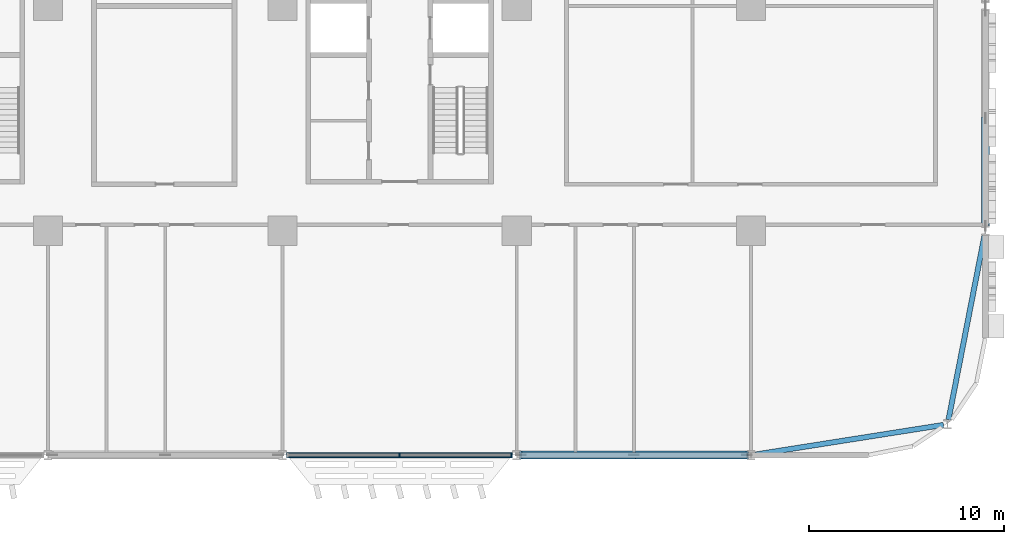
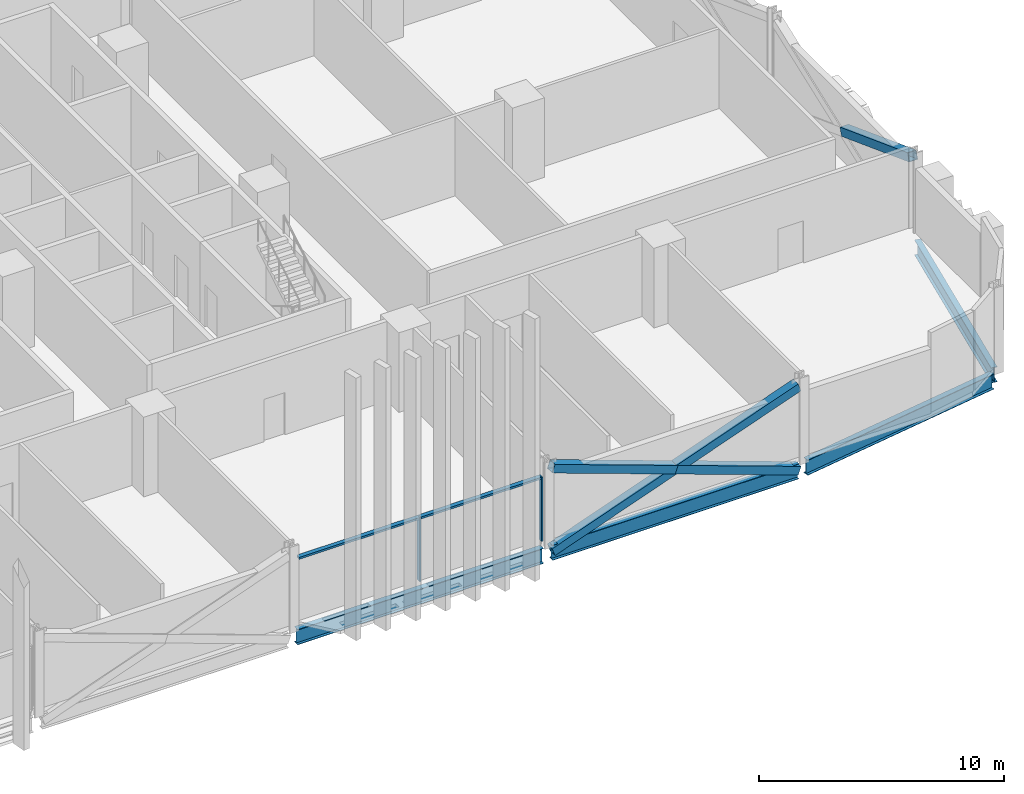
# One storey, part 8 of 29: 8 members, 4 beams, 1 element without a shape of its own.
"""IFC4 building model written with IfcOpenShell, lengths in metres."""

from ifc_helpers import new_model, si_unit, direction, frame, origin, origin_2d, place, context, subcontext, project, spatial, rectangle, hollow_rectangle, i_section, extrude, material, material_profile, profile_set, type_object, element, aggregate, save


model = new_model("IFC4")

# Units and contexts
model_context = context("Model", 3, precision=1e-05, world=origin(), true_north=direction((0.0, 1.0)))
body_context = subcontext(model_context, "Body", "Model", "MODEL_VIEW")
ifc_project = project(units=[si_unit("LENGTHUNIT", "METRE"), si_unit("AREAUNIT", "SQUARE_METRE"), si_unit("VOLUMEUNIT", "CUBIC_METRE"), si_unit("PLANEANGLEUNIT", "RADIAN"), si_unit("MASSUNIT", "GRAM", prefix="KILO")], contexts=[model_context])

# Site, building, storey
site_placement = place(None, origin())
site = spatial("IfcSite", under=ifc_project, at=site_placement, CompositionType="ELEMENT")
building_placement = place(site_placement, origin())
building = spatial("IfcBuilding", under=site, at=building_placement, Name="Mahtab Terrace Research Tower", CompositionType="ELEMENT")
storey_placement = place(building_placement, frame((0.0, 0.0, 63.199951171875)))
storey = spatial("IfcBuildingStorey", under=building, at=storey_placement, Name="L14", CompositionType="ELEMENT", Elevation=63.199951171875)

# Members
ifc_material_1 = material(Name="Steel ASTM A500 Gr C", Category="steel")
ifc_material_profile_1 = material_profile(ifc_material_1, hollow_rectangle(XDim=0.406494140625, YDim=0.406494140625, WallThickness=0.01904296875, at=origin_2d()), Name="HSS16X16X3/4")
ifc_profile_set_1 = profile_set([ifc_material_profile_1], Name="Steel ASTM A500 Gr C")
member_type_1 = type_object("IfcMemberType", Name="HSS 16x16x3/4 brace XB161634", PredefinedType="BRACE", material=ifc_profile_set_1)
member_1_placement = place(storey_placement, frame((30.212158203125, -23.0, -0.642333984375), z_axis=(0.941386519928, 0.0, 0.337329838731), x_axis=(0.0, 1.0, 0.0)))
element("IfcMember", 1, at=member_1_placement, inside=storey, type_object=member_type_1, Name="Exoskeleton brace L14 19 a", PredefinedType="BRACE", context=body_context, shape_type="SweptSolid", body=[
    extrude(hollow_rectangle(XDim=0.406494140625, YDim=0.406494140625, WallThickness=0.01904296875, at=origin_2d()), origin(), (0.0, 0.0, 1.0), 12.29638671875),
])
for number, where, z_axis, x_axis, name in (
    (2, (41.787841796875, -23.0, -0.642333984375), (-0.941386519928, 0.0, 0.337329838731), (0.0, -1.0, 0.0), "Exoskeleton brace L14 19 b1"),
    (3, (36.0, -23.0, 1.431640625), (-0.941386519928, 0.0, 0.337329838731), (0.0, -1.0, 0.0), "Exoskeleton brace L14 19 b2"),
):
    element("IfcMember", number, at=place(storey_placement, frame(where, z_axis=z_axis, x_axis=x_axis)), inside=storey, type_object=member_type_1, Name=name, PredefinedType="BRACE", context=body_context, shape_type="SweptSolid", body=[
        extrude(hollow_rectangle(XDim=0.406494140625, YDim=0.406494140625, WallThickness=0.01904296875, at=origin_2d()), origin(), (0.0, 0.0, 1.0), 6.148193359375),
    ])
member_2_placement = place(storey_placement, frame((54.0, -5.75, 1.431640625), z_axis=(0.0, -0.936671402403, 0.350209485765), x_axis=(1.0, 0.0, 0.0)))
element("IfcMember", 4, at=member_2_placement, inside=storey, type_object=member_type_1, Name="Exoskeleton brace L14 22 b2", PredefinedType="BRACE", context=body_context, shape_type="SweptSolid", body=[
    extrude(hollow_rectangle(XDim=0.406494140625, YDim=0.406494140625, WallThickness=0.01904296875, at=origin_2d()), origin(), (0.0, 0.0, 1.0), 5.88525390625),
])

# Curtain wall, members
ifc_material_2 = material(Name="Laboratory ribbon curtain wall")
curtain_wall_type = type_object("IfcCurtainWallType", Name="Laboratory ribbon curtain wall", PredefinedType="NOTDEFINED", material=ifc_material_2)
curtain_wall_placement = place(storey_placement, origin())
curtain_wall = element("IfcCurtainWall", 5, at=curtain_wall_placement, inside=storey, type_object=curtain_wall_type, Name="EN.L14.13.28", PredefinedType="NOTDEFINED")
ifc_material_3 = material(Name="Natural anodised aluminium", Category="aluminium")
ifc_material_profile_2 = material_profile(ifc_material_3, rectangle(XDim=0.199951171875, YDim=0.06494140625, at=origin_2d()), Name="MULLION 65x200")
ifc_profile_set_2 = profile_set([ifc_material_profile_2], Name="Natural anodised aluminium")
member_type_2 = type_object("IfcMemberType", Name="Laboratory ribbon curtain wall mullion", PredefinedType="MULLION", material=ifc_profile_set_2)
member_3_placement = place(storey_placement, frame((24.0, -23.0, 0.0), z_axis=(0.0, 0.0, 1.0), x_axis=(0.0, 1.0, 0.0)))
member_3 = element("IfcMember", 6, at=member_3_placement, type_object=member_type_2, Name="CWL-2 mullion 2", PredefinedType="MULLION", context=body_context, shape_type="SweptSolid", body=[
    extrude(rectangle(XDim=0.199951171875, YDim=0.06494140625, at=origin_2d()), origin(), (0.0, 0.0, 1.0), 3.203125),
])
member_4_placement = place(storey_placement, frame((29.7294921875, -23.0, 0.0), z_axis=(0.0, 0.0, 1.0), x_axis=(0.0, 1.0, 0.0)))
member_4 = element("IfcMember", 7, at=member_4_placement, type_object=member_type_2, Name="CWL-2 mullion 3", PredefinedType="MULLION", context=body_context, shape_type="SweptSolid", body=[
    extrude(rectangle(XDim=0.199951171875, YDim=0.06494140625, at=origin_2d()), origin(), (0.0, 0.0, 1.0), 3.203125),
])
ifc_material_profile_3 = material_profile(ifc_material_3, rectangle(XDim=0.199951171875, YDim=0.10009765625, at=origin_2d()), Name="TRANSOM 100x200")
ifc_profile_set_3 = profile_set([ifc_material_profile_3], Name="Natural anodised aluminium")
member_type_3 = type_object("IfcMemberType", Name="Laboratory ribbon curtain wall transom", PredefinedType="USERDEFINED", material=ifc_profile_set_3)
member_5_placement = place(storey_placement, frame((18.302978515625, -23.0, 3.153076171875), z_axis=(1.0, 0.0, 0.0), x_axis=(0.0, 1.0, 0.0)))
member_5 = element("IfcMember", 8, at=member_5_placement, type_object=member_type_3, Name="CWL-2 transom 1", ObjectType="TRANSOM", PredefinedType="USERDEFINED", context=body_context, shape_type="SweptSolid", body=[
    extrude(rectangle(XDim=0.199951171875, YDim=0.10009765625, at=origin_2d()), origin(), (0.0, 0.0, 1.0), 5.66455078125),
])
member_6_placement = place(storey_placement, frame((24.032470703125, -23.0, 3.153076171875), z_axis=(1.0, 0.0, 0.0), x_axis=(0.0, 1.0, 0.0)))
member_6 = element("IfcMember", 9, at=member_6_placement, type_object=member_type_3, Name="CWL-2 transom 2", ObjectType="TRANSOM", PredefinedType="USERDEFINED", context=body_context, shape_type="SweptSolid", body=[
    extrude(rectangle(XDim=0.199951171875, YDim=0.10009765625, at=origin_2d()), origin(), (0.0, 0.0, 1.0), 5.66455078125),
])
aggregate(curtain_wall, [member_3, member_4, member_5, member_6])

# Beams
ifc_material_4 = material(Name="Steel ASTM A992 Gr 50", Category="steel")
ifc_material_profile_4 = material_profile(ifc_material_4, i_section(OverallWidth=0.2666015625, OverallDepth=0.7568359375, WebThickness=0.013916015625, FlangeThickness=0.019287109375, at=origin_2d()), Name="W30X108")
ifc_profile_set_4 = profile_set([ifc_material_profile_4], Name="Steel ASTM A992 Gr 50")
beam_type = type_object("IfcBeamType", Name="W30x108 beam BS30108", PredefinedType="BEAM", material=ifc_profile_set_4)
for number, where, z_axis, x_axis, name in (
    (10, (18.212158203125, -23.0, -0.718505859375), (1.0, 0.0, 0.0), (0.0, 1.0, 0.0), "Spandrel beam L14 18"),
    (11, (30.212158203125, -23.0, -0.718505859375), (1.0, 0.0, 0.0), (0.0, 1.0, 0.0), "Spandrel beam L14 19"),
):
    element("IfcBeam", number, at=place(storey_placement, frame(where, z_axis=z_axis, x_axis=x_axis)), inside=storey, type_object=beam_type, Name=name, PredefinedType="BEAM", context=body_context, shape_type="SweptSolid", body=[
        extrude(i_section(OverallWidth=0.2666015625, OverallDepth=0.7568359375, WebThickness=0.013916015625, FlangeThickness=0.019287109375, at=origin_2d()), origin(), (0.0, 0.0, 1.0), 11.57568359375),
    ])
beam_1_placement = place(storey_placement, frame((42.212158203125, -22.966552734375, -0.718505859375), z_axis=(0.987836303792, 0.155497385545, 0.0), x_axis=(-0.155497385545, 0.987836303792, 0.0)))
element("IfcBeam", 12, at=beam_1_placement, inside=storey, type_object=beam_type, Name="Spandrel beam L14 20", PredefinedType="BEAM", context=body_context, shape_type="SweptSolid", body=[
    extrude(i_section(OverallWidth=0.2666015625, OverallDepth=0.7568359375, WebThickness=0.013916015625, FlangeThickness=0.019287109375, at=origin_2d()), origin(), (0.0, 0.0, 1.0), 9.75634765625),
])
beam_2_placement = place(storey_placement, frame((52.1083984375, -21.178466796875, -0.718505859375), z_axis=(0.191819239661, 0.981430272254, 0.0), x_axis=(-0.981430272254, 0.191819239661, 0.0)))
element("IfcBeam", 13, at=beam_2_placement, inside=storey, type_object=beam_type, Name="Spandrel beam L14 21", PredefinedType="BEAM", context=body_context, shape_type="SweptSolid", body=[
    extrude(i_section(OverallWidth=0.2666015625, OverallDepth=0.7568359375, WebThickness=0.013916015625, FlangeThickness=0.019287109375, at=origin_2d()), origin(), (0.0, 0.0, 1.0), 9.61962890625),
])

save(model, "model.ifc")
